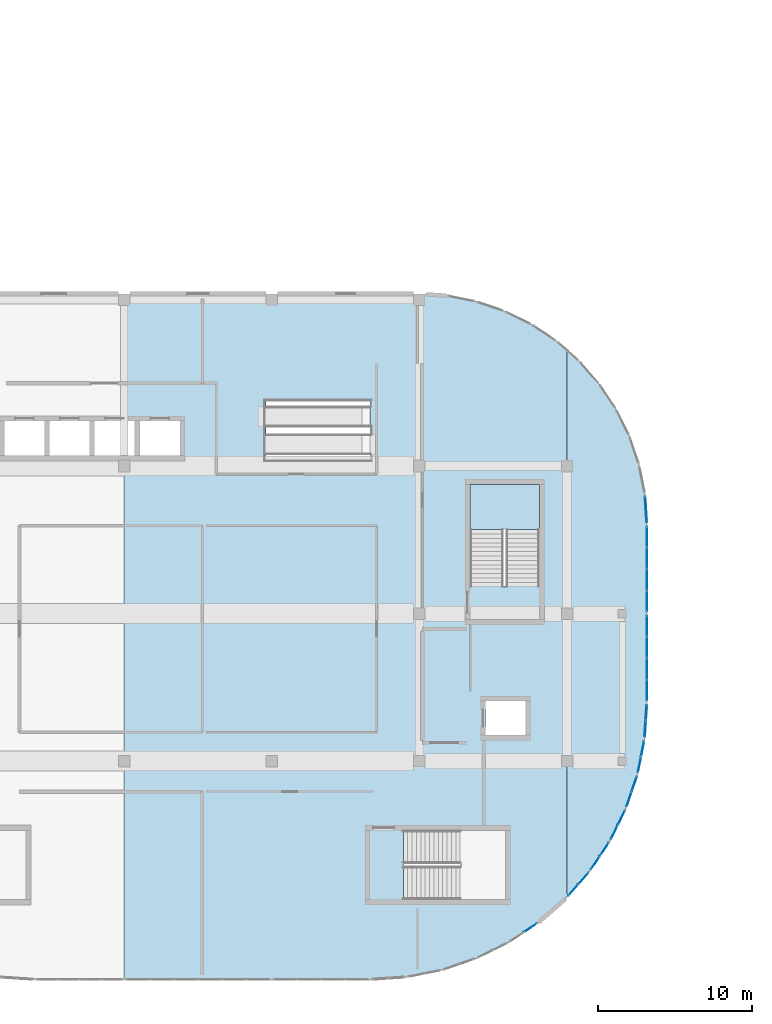
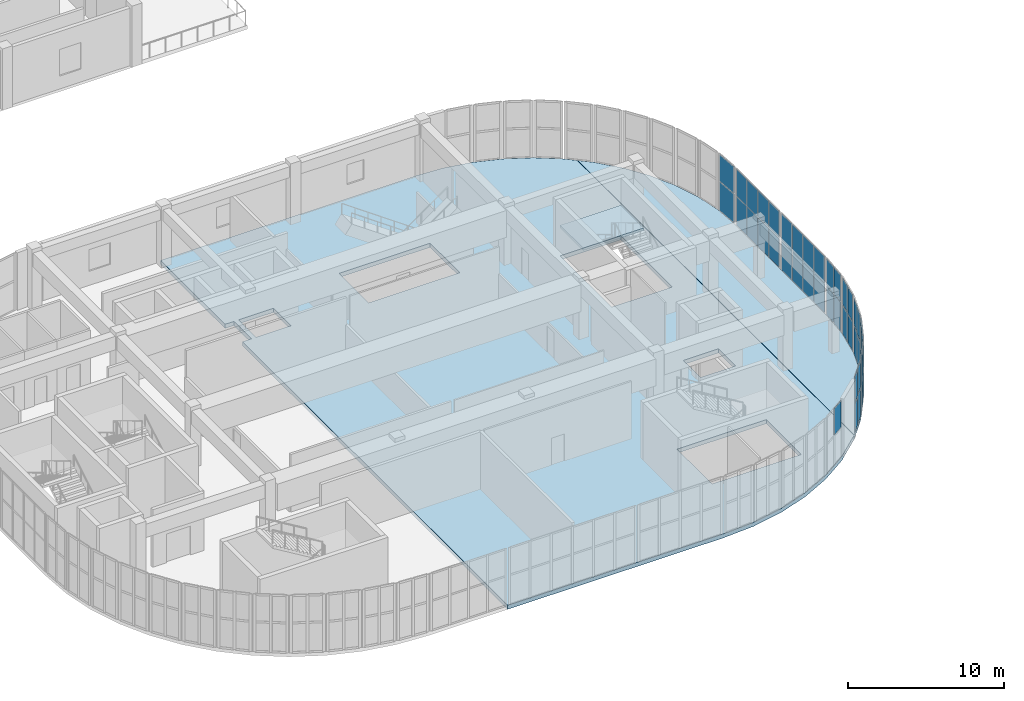
# One storey, part 17 of 28: 43 plates, 3 slabs, 11 elements without a shape of their own.
"""IFC4 building model written with IfcOpenShell, lengths in metres."""

from ifc_helpers import new_model, si_unit, direction, frame, origin, origin_2d, place, context, subcontext, project, spatial, polyline, rectangle, outline, extrude, material, layer, layer_set, type_object, element, aggregate, save


model = new_model("IFC4")

# Units and contexts
model_context = context("Model", 3, precision=1e-05, world=origin(), true_north=direction((0.0, 1.0)))
body_context = subcontext(model_context, "Body", "Model", "MODEL_VIEW")
ifc_project = project(units=[si_unit("LENGTHUNIT", "METRE"), si_unit("AREAUNIT", "SQUARE_METRE"), si_unit("VOLUMEUNIT", "CUBIC_METRE"), si_unit("PLANEANGLEUNIT", "RADIAN"), si_unit("MASSUNIT", "GRAM", prefix="KILO")], contexts=[model_context])

# Site, building, storey
site_placement = place(None, origin())
site = spatial("IfcSite", under=ifc_project, at=site_placement, CompositionType="ELEMENT")
building_placement = place(site_placement, origin())
building = spatial("IfcBuilding", under=site, at=building_placement, Name="Cendralis Terraced Arcade", CompositionType="ELEMENT")
storey_placement = place(building_placement, frame((0.0, 0.0, 24.60009765625)))
storey = spatial("IfcBuildingStorey", under=building, at=storey_placement, Name="L05", CompositionType="ELEMENT", Elevation=24.60009765625)

# Curtain wall, plates
ifc_material_1 = material(Name="Anodised aluminium EN AW-6063 T6", Category="aluminium")
ifc_layer_1 = layer(ifc_material_1, 0.179931640625, Name="CW-UNIT-A")
ifc_layer_set_1 = layer_set([ifc_layer_1], Name="Anodised aluminium EN AW-6063 T6")
curtain_wall_type_1 = type_object("IfcCurtainWallType", Name="CW-UNIT-A", PredefinedType="USERDEFINED", material=ifc_layer_set_1)
curtain_wall_1_placement = place(storey_placement, origin())
curtain_wall_1 = element("IfcCurtainWall", 1, at=curtain_wall_1_placement, inside=storey, type_object=curtain_wall_type_1, Name="Exterior Unitised Facade CW-L05-0400", ObjectType="UNITISED FACADE", PredefinedType="USERDEFINED")
ifc_material_2 = material(Name="Tempered solar control laminated glass", Category="glass")
ifc_layer_2 = layer(ifc_material_2, 0.035888671875, Name="CW-UNIT-A-PNL")
ifc_layer_set_2 = layer_set([ifc_layer_2], Name="Tempered solar control laminated glass")
plate_type_1 = type_object("IfcPlateType", Name="CW-UNIT-A-PNL", PredefinedType="CURTAIN_PANEL", material=ifc_layer_set_2)
plate_1_placement = place(storey_placement, frame((62.73583984375, 35.578857421875, 0.06494140625), z_axis=(0.0, 0.0, 1.0), x_axis=(0.065371873798, -0.997860971336, 0.0)))
plate_1 = element("IfcPlate", 2, at=plate_1_placement, type_object=plate_type_1, Name="CW-U1 panel 1.1", PredefinedType="CURTAIN_PANEL", context=body_context, shape_type="SweptSolid", body=[
    extrude(rectangle(XDim=1.652099609375, YDim=0.035888671875, at=origin_2d()), origin(), (0.0, 0.0, 1.0), 2.247802734375),
])
plate_2_placement = place(storey_placement, frame((62.73583984375, 35.578857421875, 2.37744140625), z_axis=(0.0, 0.0, 1.0), x_axis=(0.065371873798, -0.997860971336, 0.0)))
plate_2 = element("IfcPlate", 3, at=plate_2_placement, type_object=plate_type_1, Name="CW-U1 panel 1.2", PredefinedType="CURTAIN_PANEL", context=body_context, shape_type="SweptSolid", body=[
    extrude(rectangle(XDim=1.652099609375, YDim=0.035888671875, at=origin_2d()), origin(), (0.0, 0.0, 1.0), 2.0673828125),
])
aggregate(curtain_wall_1, [plate_1, plate_2])

curtain_wall_2_placement = place(storey_placement, origin())
curtain_wall_2 = element("IfcCurtainWall", 4, at=curtain_wall_2_placement, inside=storey, type_object=curtain_wall_type_1, Name="Exterior Unitised Facade CW-L05-0403", ObjectType="UNITISED FACADE", PredefinedType="USERDEFINED")
plate_3_placement = place(storey_placement, frame((62.757568359375, 22.3515625, 0.06494140625), z_axis=(0.0, 0.0, 1.0), x_axis=(-0.065392707503, -0.99785960626, 0.0)))
plate_3 = element("IfcPlate", 5, at=plate_3_placement, type_object=plate_type_1, Name="CW-U1 panel 1.1", PredefinedType="CURTAIN_PANEL", context=body_context, shape_type="SweptSolid", body=[
    extrude(rectangle(XDim=0.98974609375, YDim=0.035888671875, at=origin_2d()), origin(), (0.0, 0.0, 1.0), 2.247802734375),
])
plate_4_placement = place(storey_placement, frame((62.757568359375, 22.3515625, 2.37744140625), z_axis=(0.0, 0.0, 1.0), x_axis=(-0.065392707503, -0.99785960626, 0.0)))
plate_4 = element("IfcPlate", 6, at=plate_4_placement, type_object=plate_type_1, Name="CW-U1 panel 1.2", PredefinedType="CURTAIN_PANEL", context=body_context, shape_type="SweptSolid", body=[
    extrude(rectangle(XDim=0.98974609375, YDim=0.035888671875, at=origin_2d()), origin(), (0.0, 0.0, 1.0), 2.0673828125),
])
plate_5_placement = place(storey_placement, frame((62.6884765625, 21.299072265625, 0.06494140625), z_axis=(0.0, 0.0, 1.0), x_axis=(-0.065392707503, -0.99785960626, 0.0)))
plate_5 = element("IfcPlate", 7, at=plate_5_placement, type_object=plate_type_1, Name="CW-U1 panel 2.1", PredefinedType="CURTAIN_PANEL", context=body_context, shape_type="SweptSolid", body=[
    extrude(rectangle(XDim=0.98974609375, YDim=0.035888671875, at=origin_2d()), origin(), (0.0, 0.0, 1.0), 2.247802734375),
])
plate_6_placement = place(storey_placement, frame((62.6884765625, 21.299072265625, 2.37744140625), z_axis=(0.0, 0.0, 1.0), x_axis=(-0.065392707503, -0.99785960626, 0.0)))
plate_6 = element("IfcPlate", 8, at=plate_6_placement, type_object=plate_type_1, Name="CW-U1 panel 2.2", PredefinedType="CURTAIN_PANEL", context=body_context, shape_type="SweptSolid", body=[
    extrude(rectangle(XDim=0.98974609375, YDim=0.035888671875, at=origin_2d()), origin(), (0.0, 0.0, 1.0), 2.0673828125),
])
aggregate(curtain_wall_2, [plate_3, plate_4, plate_5, plate_6])

curtain_wall_3_placement = place(storey_placement, origin())
curtain_wall_3 = element("IfcCurtainWall", 9, at=curtain_wall_3_placement, inside=storey, type_object=curtain_wall_type_1, Name="Exterior Unitised Facade CW-L05-0404", ObjectType="UNITISED FACADE", PredefinedType="USERDEFINED")
plate_7_placement = place(storey_placement, frame((62.519287109375, 20.01318359375, 0.06494140625), z_axis=(0.0, 0.0, 1.0), x_axis=(-0.195045853998, -0.980794124594, 0.0)))
plate_7 = element("IfcPlate", 10, at=plate_7_placement, type_object=plate_type_1, Name="CW-U1 panel 1.1", PredefinedType="CURTAIN_PANEL", context=body_context, shape_type="SweptSolid", body=[
    extrude(rectangle(XDim=0.98974609375, YDim=0.035888671875, at=origin_2d()), origin(), (0.0, 0.0, 1.0), 2.247802734375),
])
plate_8_placement = place(storey_placement, frame((62.519287109375, 20.01318359375, 2.37744140625), z_axis=(0.0, 0.0, 1.0), x_axis=(-0.195045853998, -0.980794124594, 0.0)))
plate_8 = element("IfcPlate", 11, at=plate_8_placement, type_object=plate_type_1, Name="CW-U1 panel 1.2", PredefinedType="CURTAIN_PANEL", context=body_context, shape_type="SweptSolid", body=[
    extrude(rectangle(XDim=0.98974609375, YDim=0.035888671875, at=origin_2d()), origin(), (0.0, 0.0, 1.0), 2.0673828125),
])
plate_9_placement = place(storey_placement, frame((62.3134765625, 18.978759765625, 0.06494140625), z_axis=(0.0, 0.0, 1.0), x_axis=(-0.195045853998, -0.980794124594, 0.0)))
plate_9 = element("IfcPlate", 12, at=plate_9_placement, type_object=plate_type_1, Name="CW-U1 panel 2.1", PredefinedType="CURTAIN_PANEL", context=body_context, shape_type="SweptSolid", body=[
    extrude(rectangle(XDim=0.98974609375, YDim=0.035888671875, at=origin_2d()), origin(), (0.0, 0.0, 1.0), 2.247802734375),
])
plate_10_placement = place(storey_placement, frame((62.3134765625, 18.978759765625, 2.37744140625), z_axis=(0.0, 0.0, 1.0), x_axis=(-0.195045853998, -0.980794124594, 0.0)))
plate_10 = element("IfcPlate", 13, at=plate_10_placement, type_object=plate_type_1, Name="CW-U1 panel 2.2", PredefinedType="CURTAIN_PANEL", context=body_context, shape_type="SweptSolid", body=[
    extrude(rectangle(XDim=0.98974609375, YDim=0.035888671875, at=origin_2d()), origin(), (0.0, 0.0, 1.0), 2.0673828125),
])
aggregate(curtain_wall_3, [plate_7, plate_8, plate_9, plate_10])

curtain_wall_4_placement = place(storey_placement, origin())
curtain_wall_4 = element("IfcCurtainWall", 14, at=curtain_wall_4_placement, inside=storey, type_object=curtain_wall_type_1, Name="Exterior Unitised Facade CW-L05-0405", ObjectType="UNITISED FACADE", PredefinedType="USERDEFINED")
plate_11_placement = place(storey_placement, frame((61.977783203125, 17.725830078125, 0.06494140625), z_axis=(0.0, 0.0, 1.0), x_axis=(-0.321478962554, -0.946916721066, 0.0)))
plate_11 = element("IfcPlate", 15, at=plate_11_placement, type_object=plate_type_1, Name="CW-U1 panel 1.1", PredefinedType="CURTAIN_PANEL", context=body_context, shape_type="SweptSolid", body=[
    extrude(rectangle(XDim=0.98974609375, YDim=0.035888671875, at=origin_2d()), origin(), (0.0, 0.0, 1.0), 2.247802734375),
])
plate_12_placement = place(storey_placement, frame((61.977783203125, 17.725830078125, 2.37744140625), z_axis=(0.0, 0.0, 1.0), x_axis=(-0.321478962554, -0.946916721066, 0.0)))
plate_12 = element("IfcPlate", 16, at=plate_12_placement, type_object=plate_type_1, Name="CW-U1 panel 1.2", PredefinedType="CURTAIN_PANEL", context=body_context, shape_type="SweptSolid", body=[
    extrude(rectangle(XDim=0.98974609375, YDim=0.035888671875, at=origin_2d()), origin(), (0.0, 0.0, 1.0), 2.0673828125),
])
plate_13_placement = place(storey_placement, frame((61.638671875, 16.72705078125, 0.06494140625), z_axis=(0.0, 0.0, 1.0), x_axis=(-0.321478962554, -0.946916721066, 0.0)))
plate_13 = element("IfcPlate", 17, at=plate_13_placement, type_object=plate_type_1, Name="CW-U1 panel 2.1", PredefinedType="CURTAIN_PANEL", context=body_context, shape_type="SweptSolid", body=[
    extrude(rectangle(XDim=0.98974609375, YDim=0.035888671875, at=origin_2d()), origin(), (0.0, 0.0, 1.0), 2.247802734375),
])
plate_14_placement = place(storey_placement, frame((61.638671875, 16.72705078125, 2.37744140625), z_axis=(0.0, 0.0, 1.0), x_axis=(-0.321478962554, -0.946916721066, 0.0)))
plate_14 = element("IfcPlate", 18, at=plate_14_placement, type_object=plate_type_1, Name="CW-U1 panel 2.2", PredefinedType="CURTAIN_PANEL", context=body_context, shape_type="SweptSolid", body=[
    extrude(rectangle(XDim=0.98974609375, YDim=0.035888671875, at=origin_2d()), origin(), (0.0, 0.0, 1.0), 2.0673828125),
])
aggregate(curtain_wall_4, [plate_11, plate_12, plate_13, plate_14])

curtain_wall_5_placement = place(storey_placement, origin())
curtain_wall_5 = element("IfcCurtainWall", 19, at=curtain_wall_5_placement, inside=storey, type_object=curtain_wall_type_1, Name="Exterior Unitised Facade CW-L05-0406", ObjectType="UNITISED FACADE", PredefinedType="USERDEFINED")
plate_15_placement = place(storey_placement, frame((61.142333984375, 15.52880859375, 0.06494140625), z_axis=(0.0, 0.0, 1.0), x_axis=(-0.442258533133, -0.896887612731, 0.0)))
plate_15 = element("IfcPlate", 20, at=plate_15_placement, type_object=plate_type_1, Name="CW-U1 panel 1.1", PredefinedType="CURTAIN_PANEL", context=body_context, shape_type="SweptSolid", body=[
    extrude(rectangle(XDim=0.98974609375, YDim=0.035888671875, at=origin_2d()), origin(), (0.0, 0.0, 1.0), 2.247802734375),
])
plate_16_placement = place(storey_placement, frame((61.142333984375, 15.52880859375, 2.37744140625), z_axis=(0.0, 0.0, 1.0), x_axis=(-0.442258533133, -0.896887612731, 0.0)))
plate_16 = element("IfcPlate", 21, at=plate_16_placement, type_object=plate_type_1, Name="CW-U1 panel 1.2", PredefinedType="CURTAIN_PANEL", context=body_context, shape_type="SweptSolid", body=[
    extrude(rectangle(XDim=0.98974609375, YDim=0.035888671875, at=origin_2d()), origin(), (0.0, 0.0, 1.0), 2.0673828125),
])
plate_17_placement = place(storey_placement, frame((60.676025390625, 14.582763671875, 0.06494140625), z_axis=(0.0, 0.0, 1.0), x_axis=(-0.442258533133, -0.896887612731, 0.0)))
plate_17 = element("IfcPlate", 22, at=plate_17_placement, type_object=plate_type_1, Name="CW-U1 panel 2.1", PredefinedType="CURTAIN_PANEL", context=body_context, shape_type="SweptSolid", body=[
    extrude(rectangle(XDim=0.98974609375, YDim=0.035888671875, at=origin_2d()), origin(), (0.0, 0.0, 1.0), 2.247802734375),
])
plate_18_placement = place(storey_placement, frame((60.676025390625, 14.582763671875, 2.37744140625), z_axis=(0.0, 0.0, 1.0), x_axis=(-0.442258533133, -0.896887612731, 0.0)))
plate_18 = element("IfcPlate", 23, at=plate_18_placement, type_object=plate_type_1, Name="CW-U1 panel 2.2", PredefinedType="CURTAIN_PANEL", context=body_context, shape_type="SweptSolid", body=[
    extrude(rectangle(XDim=0.98974609375, YDim=0.035888671875, at=origin_2d()), origin(), (0.0, 0.0, 1.0), 2.0673828125),
])
aggregate(curtain_wall_5, [plate_15, plate_16, plate_17, plate_18])

curtain_wall_6_placement = place(storey_placement, origin())
curtain_wall_6 = element("IfcCurtainWall", 24, at=curtain_wall_6_placement, inside=storey, type_object=curtain_wall_type_1, Name="Exterior Unitised Facade CW-L05-0407", ObjectType="UNITISED FACADE", PredefinedType="USERDEFINED")
plate_19_placement = place(storey_placement, frame((60.02734375, 13.459716796875, 0.06494140625), z_axis=(0.0, 0.0, 1.0), x_axis=(-0.555559488738, -0.831476791301, 0.0)))
plate_19 = element("IfcPlate", 25, at=plate_19_placement, type_object=plate_type_1, Name="CW-U1 panel 1.1", PredefinedType="CURTAIN_PANEL", context=body_context, shape_type="SweptSolid", body=[
    extrude(rectangle(XDim=0.98974609375, YDim=0.035888671875, at=origin_2d()), origin(), (0.0, 0.0, 1.0), 2.247802734375),
])
plate_20_placement = place(storey_placement, frame((60.02734375, 13.459716796875, 2.37744140625), z_axis=(0.0, 0.0, 1.0), x_axis=(-0.555559488738, -0.831476791301, 0.0)))
plate_20 = element("IfcPlate", 26, at=plate_20_placement, type_object=plate_type_1, Name="CW-U1 panel 1.2", PredefinedType="CURTAIN_PANEL", context=body_context, shape_type="SweptSolid", body=[
    extrude(rectangle(XDim=0.98974609375, YDim=0.035888671875, at=origin_2d()), origin(), (0.0, 0.0, 1.0), 2.0673828125),
])
plate_21_placement = place(storey_placement, frame((59.44140625, 12.58251953125, 0.06494140625), z_axis=(0.0, 0.0, 1.0), x_axis=(-0.555559488738, -0.831476791301, 0.0)))
plate_21 = element("IfcPlate", 27, at=plate_21_placement, type_object=plate_type_1, Name="CW-U1 panel 2.1", PredefinedType="CURTAIN_PANEL", context=body_context, shape_type="SweptSolid", body=[
    extrude(rectangle(XDim=0.98974609375, YDim=0.035888671875, at=origin_2d()), origin(), (0.0, 0.0, 1.0), 2.247802734375),
])
plate_22_placement = place(storey_placement, frame((59.44140625, 12.58251953125, 2.37744140625), z_axis=(0.0, 0.0, 1.0), x_axis=(-0.555559488738, -0.831476791301, 0.0)))
plate_22 = element("IfcPlate", 28, at=plate_22_placement, type_object=plate_type_1, Name="CW-U1 panel 2.2", PredefinedType="CURTAIN_PANEL", context=body_context, shape_type="SweptSolid", body=[
    extrude(rectangle(XDim=0.98974609375, YDim=0.035888671875, at=origin_2d()), origin(), (0.0, 0.0, 1.0), 2.0673828125),
])
aggregate(curtain_wall_6, [plate_19, plate_20, plate_21, plate_22])

curtain_wall_7_placement = place(storey_placement, origin())
curtain_wall_7 = element("IfcCurtainWall", 29, at=curtain_wall_7_placement, inside=storey, type_object=curtain_wall_type_1, Name="Exterior Unitised Facade CW-L05-0408", ObjectType="UNITISED FACADE", PredefinedType="USERDEFINED")
plate_23_placement = place(storey_placement, frame((58.66943359375, 11.57373046875, 0.06494140625), z_axis=(0.0, 0.0, 1.0), x_axis=(-0.659387471706, -0.751803273575, 0.0)))
plate_23 = element("IfcPlate", 30, at=plate_23_placement, type_object=plate_type_1, Name="CW-U1 panel 1.1", PredefinedType="CURTAIN_PANEL", context=body_context, shape_type="SweptSolid", body=[
    extrude(rectangle(XDim=0.9365234375, YDim=0.035888671875, at=origin_2d()), origin(), (0.0, 0.0, 1.0), 2.247802734375),
])
plate_24_placement = place(storey_placement, frame((58.66943359375, 11.57373046875, 2.37744140625), z_axis=(0.0, 0.0, 1.0), x_axis=(-0.659387471706, -0.751803273575, 0.0)))
plate_24 = element("IfcPlate", 31, at=plate_24_placement, type_object=plate_type_1, Name="CW-U1 panel 1.2", PredefinedType="CURTAIN_PANEL", context=body_context, shape_type="SweptSolid", body=[
    extrude(rectangle(XDim=0.9365234375, YDim=0.035888671875, at=origin_2d()), origin(), (0.0, 0.0, 1.0), 2.0673828125),
])
plate_25_placement = place(storey_placement, frame((58.00927734375, 10.82080078125, 0.06494140625), z_axis=(0.0, 0.0, 1.0), x_axis=(-0.659387471706, -0.751803273575, 0.0)))
plate_25 = element("IfcPlate", 32, at=plate_25_placement, type_object=plate_type_1, Name="CW-U1 panel 2.1", PredefinedType="CURTAIN_PANEL", context=body_context, shape_type="SweptSolid", body=[
    extrude(rectangle(XDim=0.9365234375, YDim=0.035888671875, at=origin_2d()), origin(), (0.0, 0.0, 1.0), 2.247802734375),
])
plate_26_placement = place(storey_placement, frame((58.00927734375, 10.82080078125, 2.37744140625), z_axis=(0.0, 0.0, 1.0), x_axis=(-0.659387471706, -0.751803273575, 0.0)))
plate_26 = element("IfcPlate", 33, at=plate_26_placement, type_object=plate_type_1, Name="CW-U1 panel 2.2", PredefinedType="CURTAIN_PANEL", context=body_context, shape_type="SweptSolid", body=[
    extrude(rectangle(XDim=0.9365234375, YDim=0.035888671875, at=origin_2d()), origin(), (0.0, 0.0, 1.0), 2.0673828125),
])
aggregate(curtain_wall_7, [plate_23, plate_24, plate_25, plate_26])

# Curtain wall, plate
curtain_wall_8_placement = place(storey_placement, origin())
curtain_wall_8 = element("IfcCurtainWall", 34, at=curtain_wall_8_placement, inside=storey, type_object=curtain_wall_type_1, Name="Exterior Unitised Facade CW-L05-0409", ObjectType="UNITISED FACADE", PredefinedType="USERDEFINED")
plate_27_placement = place(storey_placement, frame((55.21728515625, 8.358642578125, 2.37744140625), z_axis=(0.0, 0.0, 1.0), x_axis=(-0.831476791301, -0.555559488738, 0.0)))
plate_27 = element("IfcPlate", 35, at=plate_27_placement, type_object=plate_type_1, Name="CW-U1 panel 1.2", PredefinedType="CURTAIN_PANEL", context=body_context, shape_type="SweptSolid", body=[
    extrude(rectangle(XDim=0.98974609375, YDim=0.035888671875, at=origin_2d()), origin(), (0.0, 0.0, 1.0), 2.0673828125),
])
aggregate(curtain_wall_8, [plate_27])

# Curtain wall, plates
ifc_layer_3 = layer(ifc_material_1, 0.159912109375, Name="CW-UNIT-B")
ifc_layer_set_3 = layer_set([ifc_layer_3], Name="Anodised aluminium EN AW-6063 T6")
curtain_wall_type_2 = type_object("IfcCurtainWallType", Name="CW-UNIT-B", PredefinedType="USERDEFINED", material=ifc_layer_set_3)
curtain_wall_9_placement = place(storey_placement, origin())
curtain_wall_9 = element("IfcCurtainWall", 36, at=curtain_wall_9_placement, inside=storey, type_object=curtain_wall_type_2, Name="Exterior Unitised Facade CW-L05-0401", ObjectType="UNITISED FACADE", PredefinedType="USERDEFINED")
ifc_layer_4 = layer(ifc_material_2, 0.031982421875, Name="CW-UNIT-B-PNL")
ifc_layer_set_4 = layer_set([ifc_layer_4], Name="Tempered solar control laminated glass")
plate_type_2 = type_object("IfcPlateType", Name="CW-UNIT-B-PNL", PredefinedType="CURTAIN_PANEL", material=ifc_layer_set_4)
plate_28_placement = place(storey_placement, frame((62.800048828125, 33.791259765625, 0.06005859375), z_axis=(0.0, 0.0, 1.0), x_axis=(0.0, -1.0, 0.0)))
plate_28 = element("IfcPlate", 37, at=plate_28_placement, type_object=plate_type_2, Name="CW-U2 panel 1.1", PredefinedType="CURTAIN_PANEL", context=body_context, shape_type="SweptSolid", body=[
    extrude(rectangle(XDim=1.3076171875, YDim=0.031982421875, at=origin_2d()), origin(), (0.0, 0.0, 1.0), 2.255126953125),
])
plate_29_placement = place(storey_placement, frame((62.800048828125, 33.791259765625, 2.375244140625), z_axis=(0.0, 0.0, 1.0), x_axis=(0.0, -1.0, 0.0)))
plate_29 = element("IfcPlate", 38, at=plate_29_placement, type_object=plate_type_2, Name="CW-U2 panel 1.2", PredefinedType="CURTAIN_PANEL", context=body_context, shape_type="SweptSolid", body=[
    extrude(rectangle(XDim=1.3076171875, YDim=0.031982421875, at=origin_2d()), origin(), (0.0, 0.0, 1.0), 2.07470703125),
])
plate_30_placement = place(storey_placement, frame((62.800048828125, 32.402587890625, 0.06005859375), z_axis=(0.0, 0.0, 1.0), x_axis=(0.0, -1.0, 0.0)))
plate_30 = element("IfcPlate", 39, at=plate_30_placement, type_object=plate_type_2, Name="CW-U2 panel 2.1", PredefinedType="CURTAIN_PANEL", context=body_context, shape_type="SweptSolid", body=[
    extrude(rectangle(XDim=1.340087890625, YDim=0.031982421875, at=origin_2d()), origin(), (0.0, 0.0, 1.0), 2.255126953125),
])
plate_31_placement = place(storey_placement, frame((62.800048828125, 32.402587890625, 2.375244140625), z_axis=(0.0, 0.0, 1.0), x_axis=(0.0, -1.0, 0.0)))
plate_31 = element("IfcPlate", 40, at=plate_31_placement, type_object=plate_type_2, Name="CW-U2 panel 2.2", PredefinedType="CURTAIN_PANEL", context=body_context, shape_type="SweptSolid", body=[
    extrude(rectangle(XDim=1.340087890625, YDim=0.031982421875, at=origin_2d()), origin(), (0.0, 0.0, 1.0), 2.07470703125),
])
plate_32_placement = place(storey_placement, frame((62.800048828125, 30.99755859375, 0.06005859375), z_axis=(0.0, 0.0, 1.0), x_axis=(0.0, -1.0, 0.0)))
plate_32 = element("IfcPlate", 41, at=plate_32_placement, type_object=plate_type_2, Name="CW-U2 panel 3.1", PredefinedType="CURTAIN_PANEL", context=body_context, shape_type="SweptSolid", body=[
    extrude(rectangle(XDim=1.340087890625, YDim=0.031982421875, at=origin_2d()), origin(), (0.0, 0.0, 1.0), 2.255126953125),
])
plate_33_placement = place(storey_placement, frame((62.800048828125, 30.99755859375, 2.375244140625), z_axis=(0.0, 0.0, 1.0), x_axis=(0.0, -1.0, 0.0)))
plate_33 = element("IfcPlate", 42, at=plate_33_placement, type_object=plate_type_2, Name="CW-U2 panel 3.2", PredefinedType="CURTAIN_PANEL", context=body_context, shape_type="SweptSolid", body=[
    extrude(rectangle(XDim=1.340087890625, YDim=0.031982421875, at=origin_2d()), origin(), (0.0, 0.0, 1.0), 2.07470703125),
])
plate_34_placement = place(storey_placement, frame((62.800048828125, 29.608642578125, 0.06005859375), z_axis=(0.0, 0.0, 1.0), x_axis=(0.0, -1.0, 0.0)))
plate_34 = element("IfcPlate", 43, at=plate_34_placement, type_object=plate_type_2, Name="CW-U2 panel 4.1", PredefinedType="CURTAIN_PANEL", context=body_context, shape_type="SweptSolid", body=[
    extrude(rectangle(XDim=1.3076171875, YDim=0.031982421875, at=origin_2d()), origin(), (0.0, 0.0, 1.0), 2.255126953125),
])
plate_35_placement = place(storey_placement, frame((62.800048828125, 29.608642578125, 2.375244140625), z_axis=(0.0, 0.0, 1.0), x_axis=(0.0, -1.0, 0.0)))
plate_35 = element("IfcPlate", 44, at=plate_35_placement, type_object=plate_type_2, Name="CW-U2 panel 4.2", PredefinedType="CURTAIN_PANEL", context=body_context, shape_type="SweptSolid", body=[
    extrude(rectangle(XDim=1.3076171875, YDim=0.031982421875, at=origin_2d()), origin(), (0.0, 0.0, 1.0), 2.07470703125),
])
aggregate(curtain_wall_9, [plate_28, plate_29, plate_30, plate_31, plate_32, plate_33, plate_34, plate_35])

curtain_wall_10_placement = place(storey_placement, origin())
curtain_wall_10 = element("IfcCurtainWall", 45, at=curtain_wall_10_placement, inside=storey, type_object=curtain_wall_type_2, Name="Exterior Unitised Facade CW-L05-0402", ObjectType="UNITISED FACADE", PredefinedType="USERDEFINED")
plate_36_placement = place(storey_placement, frame((62.800048828125, 27.9912109375, 0.06005859375), z_axis=(0.0, 0.0, 1.0), x_axis=(0.0, -1.0, 0.0)))
plate_36 = element("IfcPlate", 46, at=plate_36_placement, type_object=plate_type_2, Name="CW-U2 panel 1.1", PredefinedType="CURTAIN_PANEL", context=body_context, shape_type="SweptSolid", body=[
    extrude(rectangle(XDim=1.3076171875, YDim=0.031982421875, at=origin_2d()), origin(), (0.0, 0.0, 1.0), 2.255126953125),
])
plate_37_placement = place(storey_placement, frame((62.800048828125, 27.9912109375, 2.375244140625), z_axis=(0.0, 0.0, 1.0), x_axis=(0.0, -1.0, 0.0)))
plate_37 = element("IfcPlate", 47, at=plate_37_placement, type_object=plate_type_2, Name="CW-U2 panel 1.2", PredefinedType="CURTAIN_PANEL", context=body_context, shape_type="SweptSolid", body=[
    extrude(rectangle(XDim=1.3076171875, YDim=0.031982421875, at=origin_2d()), origin(), (0.0, 0.0, 1.0), 2.07470703125),
])
plate_38_placement = place(storey_placement, frame((62.800048828125, 26.6025390625, 0.06005859375), z_axis=(0.0, 0.0, 1.0), x_axis=(0.0, -1.0, 0.0)))
plate_38 = element("IfcPlate", 48, at=plate_38_placement, type_object=plate_type_2, Name="CW-U2 panel 2.1", PredefinedType="CURTAIN_PANEL", context=body_context, shape_type="SweptSolid", body=[
    extrude(rectangle(XDim=1.340087890625, YDim=0.031982421875, at=origin_2d()), origin(), (0.0, 0.0, 1.0), 2.255126953125),
])
plate_39_placement = place(storey_placement, frame((62.800048828125, 26.6025390625, 2.375244140625), z_axis=(0.0, 0.0, 1.0), x_axis=(0.0, -1.0, 0.0)))
plate_39 = element("IfcPlate", 49, at=plate_39_placement, type_object=plate_type_2, Name="CW-U2 panel 2.2", PredefinedType="CURTAIN_PANEL", context=body_context, shape_type="SweptSolid", body=[
    extrude(rectangle(XDim=1.340087890625, YDim=0.031982421875, at=origin_2d()), origin(), (0.0, 0.0, 1.0), 2.07470703125),
])
plate_40_placement = place(storey_placement, frame((62.800048828125, 25.197509765625, 0.06005859375), z_axis=(0.0, 0.0, 1.0), x_axis=(0.0, -1.0, 0.0)))
plate_40 = element("IfcPlate", 50, at=plate_40_placement, type_object=plate_type_2, Name="CW-U2 panel 3.1", PredefinedType="CURTAIN_PANEL", context=body_context, shape_type="SweptSolid", body=[
    extrude(rectangle(XDim=1.340087890625, YDim=0.031982421875, at=origin_2d()), origin(), (0.0, 0.0, 1.0), 2.255126953125),
])
plate_41_placement = place(storey_placement, frame((62.800048828125, 25.197509765625, 2.375244140625), z_axis=(0.0, 0.0, 1.0), x_axis=(0.0, -1.0, 0.0)))
plate_41 = element("IfcPlate", 51, at=plate_41_placement, type_object=plate_type_2, Name="CW-U2 panel 3.2", PredefinedType="CURTAIN_PANEL", context=body_context, shape_type="SweptSolid", body=[
    extrude(rectangle(XDim=1.340087890625, YDim=0.031982421875, at=origin_2d()), origin(), (0.0, 0.0, 1.0), 2.07470703125),
])
plate_42_placement = place(storey_placement, frame((62.800048828125, 23.808837890625, 0.06005859375), z_axis=(0.0, 0.0, 1.0), x_axis=(0.0, -1.0, 0.0)))
plate_42 = element("IfcPlate", 52, at=plate_42_placement, type_object=plate_type_2, Name="CW-U2 panel 4.1", PredefinedType="CURTAIN_PANEL", context=body_context, shape_type="SweptSolid", body=[
    extrude(rectangle(XDim=1.3076171875, YDim=0.031982421875, at=origin_2d()), origin(), (0.0, 0.0, 1.0), 2.255126953125),
])
plate_43_placement = place(storey_placement, frame((62.800048828125, 23.808837890625, 2.375244140625), z_axis=(0.0, 0.0, 1.0), x_axis=(0.0, -1.0, 0.0)))
plate_43 = element("IfcPlate", 53, at=plate_43_placement, type_object=plate_type_2, Name="CW-U2 panel 4.2", PredefinedType="CURTAIN_PANEL", context=body_context, shape_type="SweptSolid", body=[
    extrude(rectangle(XDim=1.3076171875, YDim=0.031982421875, at=origin_2d()), origin(), (0.0, 0.0, 1.0), 2.07470703125),
])
aggregate(curtain_wall_10, [plate_36, plate_37, plate_38, plate_39, plate_40, plate_41, plate_42, plate_43])

# Slabs
ifc_material_3 = material(Name="Concrete f'c 35 MPa", Category="concrete")
ifc_layer_5 = layer(ifc_material_3, 0.320068359375, Name="SLB-L05-320")
ifc_layer_set_5 = layer_set([ifc_layer_5], Name="Concrete f'c 35 MPa")
slab_type_1 = type_object("IfcSlabType", Name="SLB-L05-320", PredefinedType="FLOOR", material=ifc_layer_set_5)
slab_1_placement = place(storey_placement, frame((0.0, 0.0, -0.320068359375)))
element("IfcSlab", 54, at=slab_1_placement, inside=storey, type_object=slab_type_1, Name="Reinforced Concrete Floor Slab SLB-L05-V1-W2-1", PredefinedType="FLOOR", context=body_context, shape_type="SweptSolid", body=[
    extrude(outline(polyline([(51.682373046875, 49.0888671875), (53.540283203125, 48.458251953125), (55.300048828125, 47.59033203125), (56.931396484375, 46.500244140625), (57.60009765625, 45.9140625), (57.60009765625, 10.354248046875), (55.7578125, 8.719482421875), (53.800048828125, 7.41162109375), (51.688232421875, 6.3701171875), (49.458740234375, 5.61328125), (47.1494140625, 5.154052734375), (44.800048828125, 5.0), (28.820068359375, 5.0), (28.820068359375, 39.074951171875), (29.47998046875, 39.074951171875), (29.47998046875, 41.324951171875), (28.820068359375, 41.324951171875), (28.820068359375, 49.60009765625), (47.800048828125, 49.60009765625), (49.7578125, 49.4716796875), (51.682373046875, 49.0888671875)]), holes=[polyline([(46.97998046875, 14.699951171875), (46.97998046875, 10.199951171875), (53.60009765625, 10.199951171875), (53.60009765625, 14.699951171875), (46.97998046875, 14.699951171875)]), polyline([(52.300048828125, 23.10009765625), (52.300048828125, 20.89990234375), (54.89990234375, 20.89990234375), (54.89990234375, 23.10009765625), (52.300048828125, 23.10009765625)]), polyline([(51.300048828125, 37.199951171875), (51.300048828125, 30.580078125), (55.800048828125, 30.580078125), (55.800048828125, 37.199951171875), (51.300048828125, 37.199951171875)]), polyline([(29.820068359375, 41.324951171875), (29.820068359375, 39.074951171875), (32.419921875, 39.074951171875), (32.419921875, 41.324951171875), (29.820068359375, 41.324951171875)]), polyline([(38.02490234375, 42.60009765625), (38.02490234375, 38.800048828125), (44.77490234375, 38.800048828125), (44.77490234375, 42.60009765625), (38.02490234375, 42.60009765625)])]), origin(), (0.0, 0.0, 1.0), 0.320068359375),
])
slab_2_placement = place(storey_placement, frame((0.0, 0.0, -0.320068359375)))
element("IfcSlab", 55, at=slab_2_placement, inside=storey, type_object=slab_type_1, Name="Reinforced Concrete Floor Slab SLB-L05-V1-C1-1", PredefinedType="FLOOR", context=body_context, shape_type="SweptSolid", body=[
    extrude(outline(polyline([(60.790283203125, 42.10009765625), (61.658203125, 40.34033203125), (62.288818359375, 38.482421875), (62.671630859375, 36.557861328125), (62.800048828125, 34.60009765625), (62.800048828125, 23.0), (62.64599609375, 20.650390625), (62.186767578125, 18.34130859375), (61.4296875, 16.11181640625), (60.388427734375, 14.0), (59.080322265625, 12.042236328125), (57.6201171875, 10.377197265625), (57.6201171875, 45.896484375), (58.406494140625, 45.20654296875), (59.7001953125, 43.7314453125), (60.790283203125, 42.10009765625)])), origin(), (0.0, 0.0, 1.0), 0.320068359375),
])

# Stair, slab
stair_type = type_object("IfcStairType", Name="STR-W215-H480", PredefinedType="HALF_TURN_STAIR", material=ifc_material_3)
stair_placement = place(storey_placement, origin())
stair = element("IfcStair", 56, at=stair_placement, inside=storey, type_object=stair_type, Name="L05 Protected Exit Stair ST-04", PredefinedType="HALF_TURN_STAIR")
ifc_layer_6 = layer(ifc_material_3, 0.199951171875, Name="SLB-STAIR-LND-200")
ifc_layer_set_6 = layer_set([ifc_layer_6], Name="Concrete f'c 35 MPa")
slab_type_2 = type_object("IfcSlabType", Name="SLB-STAIR-LND-200", PredefinedType="LANDING", material=ifc_layer_set_6)
slab_3_placement = place(storey_placement, frame((0.0, 0.0, 2.199951171875)))
slab_3 = element("IfcSlab", 57, at=slab_3_placement, type_object=slab_type_2, Name="ST-04 landing 1", PredefinedType="LANDING", context=body_context, shape_type="SweptSolid", body=[
    extrude(outline(polyline([(55.800048828125, 34.2548828125), (55.800048828125, 37.199951171875), (51.300048828125, 37.199951171875), (51.300048828125, 34.2548828125), (55.800048828125, 34.2548828125)])), origin(), (0.0, 0.0, 1.0), 0.199951171875),
])
aggregate(stair, [slab_3])

save(model, "model.ifc")
